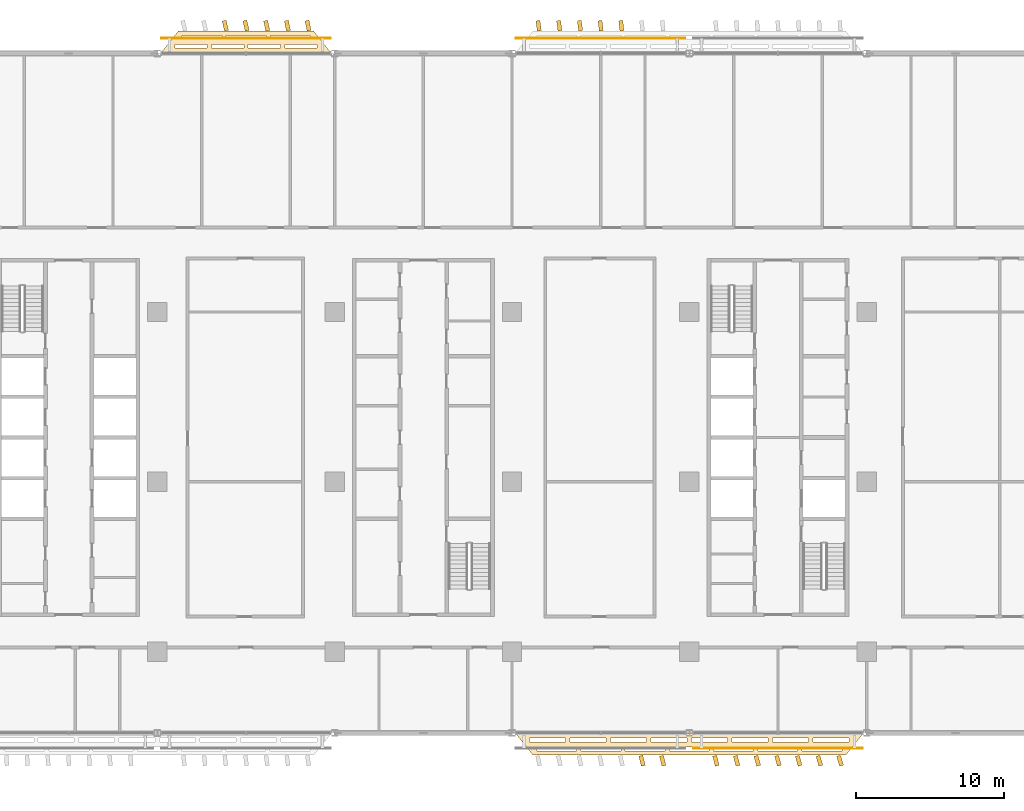
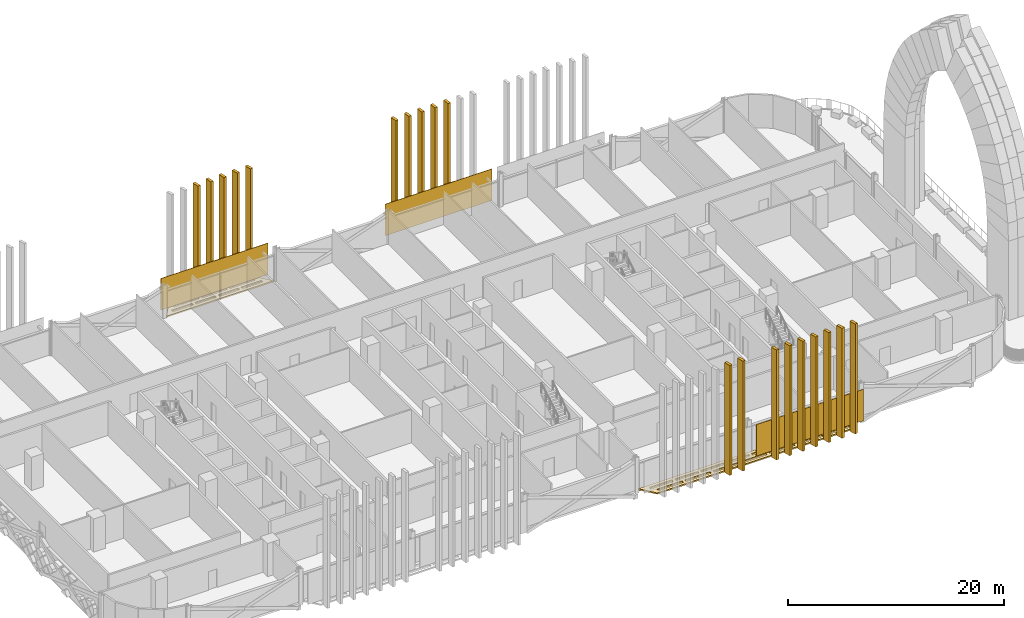
# One storey, part 28 of 33: 24 coverings.
"""IFC4 building model written with IfcOpenShell, lengths in metres."""

from ifc_helpers import new_model, si_unit, direction, frame, origin, origin_2d, place, context, subcontext, project, spatial, polyline, rectangle, outline, extrude, material, layer, layer_set, type_object, element, save


model = new_model("IFC4")

# Units and contexts
model_context = context("Model", 3, precision=1e-05, world=origin(), true_north=direction((0.0, 1.0)))
body_context = subcontext(model_context, "Body", "Model", "MODEL_VIEW")
ifc_project = project(units=[si_unit("LENGTHUNIT", "METRE"), si_unit("AREAUNIT", "SQUARE_METRE"), si_unit("VOLUMEUNIT", "CUBIC_METRE"), si_unit("PLANEANGLEUNIT", "RADIAN"), si_unit("MASSUNIT", "GRAM", prefix="KILO")], contexts=[model_context])

# Site, building, storey
site_placement = place(None, origin())
site = spatial("IfcSite", under=ifc_project, at=site_placement, CompositionType="ELEMENT")
building_placement = place(site_placement, origin())
building = spatial("IfcBuilding", under=site, at=building_placement, Name="Mahtab Terrace Research Tower", CompositionType="ELEMENT")
storey_placement = place(building_placement, frame((0.0, 0.0, 122.0)))
storey = spatial("IfcBuildingStorey", under=building, at=storey_placement, Name="L28", CompositionType="ELEMENT", Elevation=122.0)

# Coverings
ifc_material_1 = material(Name="Black anodised aluminium", Category="aluminium")
ifc_layer_1 = layer(ifc_material_1, 0.14990234375)
ifc_layer_set_1 = layer_set([ifc_layer_1], Name="Horizontal sunshade band")
covering_type_1 = type_object("IfcCoveringType", Name="Horizontal sunshade band", PredefinedType="CLADDING", material=ifc_layer_set_1)
covering_1_placement = place(storey_placement, frame((0.0, 0.0, -0.14990234375)))
element("IfcCovering", 1, at=covering_1_placement, inside=storey, type_object=covering_type_1, Name="Sunshade band L28 7", PredefinedType="CLADDING", context=body_context, shape_type="SweptSolid", body=[
    extrude(outline(polyline([(-6.218017578125, 29.0), (-17.781982421875, 29.0), (-16.58203125, 30.5), (-7.41796875, 30.5), (-6.218017578125, 29.0)]), holes=[polyline([(-7.197998046875, 29.35009765625), (-9.3740234375, 29.35009765625), (-9.3740234375, 29.60009765625), (-7.197998046875, 29.60009765625), (-7.197998046875, 29.35009765625)]), polyline([(-9.674072265625, 29.35009765625), (-11.85009765625, 29.35009765625), (-11.85009765625, 29.60009765625), (-9.674072265625, 29.60009765625), (-9.674072265625, 29.35009765625)]), polyline([(-12.14990234375, 29.35009765625), (-14.325927734375, 29.35009765625), (-14.325927734375, 29.60009765625), (-12.14990234375, 29.60009765625), (-12.14990234375, 29.35009765625)]), polyline([(-14.6259765625, 29.35009765625), (-16.802001953125, 29.35009765625), (-16.802001953125, 29.60009765625), (-14.6259765625, 29.60009765625), (-14.6259765625, 29.35009765625)]), polyline([(-7.677978515625, 29.949951171875), (-10.35888671875, 29.949951171875), (-10.35888671875, 30.199951171875), (-7.677978515625, 30.199951171875), (-7.677978515625, 29.949951171875)]), polyline([(-10.658935546875, 29.949951171875), (-13.341064453125, 29.949951171875), (-13.341064453125, 30.199951171875), (-10.658935546875, 30.199951171875), (-10.658935546875, 29.949951171875)]), polyline([(-13.64111328125, 29.949951171875), (-16.322021484375, 29.949951171875), (-16.322021484375, 30.199951171875), (-13.64111328125, 30.199951171875), (-13.64111328125, 29.949951171875)])]), origin(), (0.0, 0.0, 1.0), 0.14990234375),
])
covering_2_placement = place(storey_placement, frame((0.0, 0.0, -0.14990234375)))
element("IfcCovering", 2, at=covering_2_placement, inside=storey, type_object=covering_type_1, Name="Sunshade band L28 28", PredefinedType="CLADDING", context=body_context, shape_type="SweptSolid", body=[
    extrude(outline(polyline([(6.218017578125, -17.0), (29.781982421875, -17.0), (28.58203125, -18.5), (7.41796875, -18.5), (6.218017578125, -17.0)]), holes=[polyline([(7.197998046875, -17.35009765625), (9.635986328125, -17.35009765625), (9.635986328125, -17.60009765625), (7.197998046875, -17.60009765625), (7.197998046875, -17.35009765625)]), polyline([(9.93603515625, -17.35009765625), (12.3740234375, -17.35009765625), (12.3740234375, -17.60009765625), (9.93603515625, -17.60009765625), (9.93603515625, -17.35009765625)]), polyline([(12.674072265625, -17.35009765625), (15.112060546875, -17.35009765625), (15.112060546875, -17.60009765625), (12.674072265625, -17.60009765625), (12.674072265625, -17.35009765625)]), polyline([(15.412109375, -17.35009765625), (17.85009765625, -17.35009765625), (17.85009765625, -17.60009765625), (15.412109375, -17.60009765625), (15.412109375, -17.35009765625)]), polyline([(18.14990234375, -17.35009765625), (20.587890625, -17.35009765625), (20.587890625, -17.60009765625), (18.14990234375, -17.60009765625), (18.14990234375, -17.35009765625)]), polyline([(20.887939453125, -17.35009765625), (23.325927734375, -17.35009765625), (23.325927734375, -17.60009765625), (20.887939453125, -17.60009765625), (20.887939453125, -17.35009765625)]), polyline([(23.6259765625, -17.35009765625), (26.06396484375, -17.35009765625), (26.06396484375, -17.60009765625), (23.6259765625, -17.60009765625), (23.6259765625, -17.35009765625)]), polyline([(26.364013671875, -17.35009765625), (28.802001953125, -17.35009765625), (28.802001953125, -17.60009765625), (26.364013671875, -17.60009765625), (26.364013671875, -17.35009765625)]), polyline([(7.677978515625, -17.949951171875), (10.3701171875, -17.949951171875), (10.3701171875, -18.199951171875), (7.677978515625, -18.199951171875), (7.677978515625, -17.949951171875)]), polyline([(10.669921875, -17.949951171875), (13.362060546875, -17.949951171875), (13.362060546875, -18.199951171875), (10.669921875, -18.199951171875), (10.669921875, -17.949951171875)]), polyline([(13.662109375, -17.949951171875), (16.35400390625, -17.949951171875), (16.35400390625, -18.199951171875), (13.662109375, -18.199951171875), (13.662109375, -17.949951171875)]), polyline([(16.654052734375, -17.949951171875), (19.345947265625, -17.949951171875), (19.345947265625, -18.199951171875), (16.654052734375, -18.199951171875), (16.654052734375, -17.949951171875)]), polyline([(19.64599609375, -17.949951171875), (22.337890625, -17.949951171875), (22.337890625, -18.199951171875), (19.64599609375, -18.199951171875), (19.64599609375, -17.949951171875)]), polyline([(22.637939453125, -17.949951171875), (25.330078125, -17.949951171875), (25.330078125, -18.199951171875), (22.637939453125, -18.199951171875), (22.637939453125, -17.949951171875)]), polyline([(25.6298828125, -17.949951171875), (28.322021484375, -17.949951171875), (28.322021484375, -18.199951171875), (25.6298828125, -18.199951171875), (25.6298828125, -17.949951171875)])]), origin(), (0.0, 0.0, 1.0), 0.14990234375),
])
ifc_material_2 = material(Name="Bronze anodised aluminium", Category="aluminium")
ifc_layer_2 = layer(ifc_material_2, 0.050048828125)
ifc_layer_set_2 = layer_set([ifc_layer_2], Name="Sky lounge girih screen panel")
covering_type_2 = type_object("IfcCoveringType", Name="Sky lounge girih screen panel", PredefinedType="CLADDING", material=ifc_layer_set_2)
for number, where, z_axis, x_axis, name in (
    (3, (12.0, 30.02490234375, 0.099853515625), (0.0, 0.0, 1.0), (-1.0, 0.0, 0.0), "Girih screen L28 N6"),
    (4, (-12.0, 30.02490234375, 0.099853515625), (0.0, 0.0, 1.0), (-1.0, 0.0, 0.0), "Girih screen L28 N8"),
    (5, (24.0, -18.02490234375, 0.099853515625), (0.0, 0.0, 1.0), (1.0, 0.0, 0.0), "Girih screen L28 S30"),
):
    element("IfcCovering", number, at=place(storey_placement, frame(where, z_axis=z_axis, x_axis=x_axis)), inside=storey, type_object=covering_type_2, Name=name, PredefinedType="CLADDING", context=body_context, shape_type="SweptSolid", body=[
        extrude(rectangle(XDim=11.464111328125, YDim=0.050048828125, at=origin_2d()), origin(), (0.0, 0.0, 1.0), 3.56005859375),
    ])
ifc_layer_3 = layer(ifc_material_2, 0.1201171875)
ifc_layer_set_3 = layer_set([ifc_layer_3], Name="Vertical fin 700")
covering_type_3 = type_object("IfcCoveringType", Name="Vertical fin 700", PredefinedType="CLADDING", material=ifc_layer_set_3)
for number, where, z_axis, x_axis, name in (
    (6, (13.39990234375, 30.864013671875, -0.14990234375), (0.0, 0.0, 1.0), (-0.992945813063, -0.118569019226, 0.0), "Fin L28 N3"),
    (7, (12.0, 30.86474609375, -0.14990234375), (0.0, 0.0, 1.0), (-0.9922392066, -0.12434370465, 0.0), "Fin L28 N4"),
    (8, (10.60009765625, 30.865234375, -0.14990234375), (0.0, 0.0, 1.0), (-0.991499016526, -0.130114181502, 0.0), "Fin L28 N5"),
    (9, (9.199951171875, 30.86572265625, -0.14990234375), (0.0, 0.0, 1.0), (-0.990725267892, -0.135880254489, 0.0), "Fin L28 N6"),
    (10, (7.800048828125, 30.8662109375, -0.14990234375), (0.0, 0.0, 1.0), (-0.989917986891, -0.141641728418, 0.0), "Fin L28 N7"),
    (11, (-7.800048828125, 30.871337890625, -0.14990234375), (0.0, 0.0, 1.0), (-0.978662951719, -0.205472204767, 0.0), "Fin L28 N1"),
    (12, (-9.199951171875, 30.87158203125, -0.14990234375), (0.0, 0.0, 1.0), (-0.97745100758, -0.211162325667, 0.0), "Fin L28 N2"),
    (13, (-10.60009765625, 30.8720703125, -0.14990234375), (0.0, 0.0, 1.0), (-0.976205980352, -0.216845299523, 0.0), "Fin L28 N3"),
    (14, (-12.0, 30.872314453125, -0.14990234375), (0.0, 0.0, 1.0), (-0.974927912182, -0.222520933954, 0.0), "Fin L28 N4"),
    (15, (-13.39990234375, 30.872802734375, -0.14990234375), (0.0, 0.0, 1.0), (-0.973616846325, -0.228189036878, 0.0), "Fin L28 N5"),
    (16, (14.800048828125, -18.873046875, -0.14990234375), (0.0, 0.0, 1.0), (0.972272827152, 0.233849416469, 0.0), "Fin L28 S6"),
    (17, (16.199951171875, -18.873291015625, -0.14990234375), (0.0, 0.0, 1.0), (0.970895900159, 0.239501881108, 0.0), "Fin L28 S7"),
    (18, (19.800048828125, -18.8740234375, -0.14990234375), (0.0, 0.0, 1.0), (0.967204452546, 0.253999108219, 0.0), "Fin L28 S1"),
    (19, (21.199951171875, -18.874267578125, -0.14990234375), (0.0, 0.0, 1.0), (0.965710385828, 0.259621745437, 0.0), "Fin L28 S2"),
    (20, (22.60009765625, -18.87451171875, -0.14990234375), (0.0, 0.0, 1.0), (0.964183633406, 0.265235595407, 0.0), "Fin L28 S3"),
    (21, (24.0, -18.874755859375, -0.14990234375), (0.0, 0.0, 1.0), (0.962624246951, 0.270840468138, 0.0), "Fin L28 S4"),
    (22, (25.39990234375, -18.875, -0.14990234375), (0.0, 0.0, 1.0), (0.961032279237, 0.276436173942, 0.0), "Fin L28 S5"),
    (23, (26.800048828125, -18.875244140625, -0.14990234375), (0.0, 0.0, 1.0), (0.959407784156, 0.282022523392, 0.0), "Fin L28 S6"),
    (24, (28.199951171875, -18.87548828125, -0.14990234375), (0.0, 0.0, 1.0), (0.957750816686, 0.287599327427, 0.0), "Fin L28 S7"),
):
    element("IfcCovering", number, at=place(storey_placement, frame(where, z_axis=z_axis, x_axis=x_axis)), inside=storey, type_object=covering_type_3, Name=name, PredefinedType="CLADDING", context=body_context, shape_type="SweptSolid", body=[
        extrude(rectangle(XDim=0.280029296875, YDim=0.699951171875, at=origin_2d()), origin(), (0.0, 0.0, 1.0), 12.449951171875),
    ])

save(model, "model.ifc")
